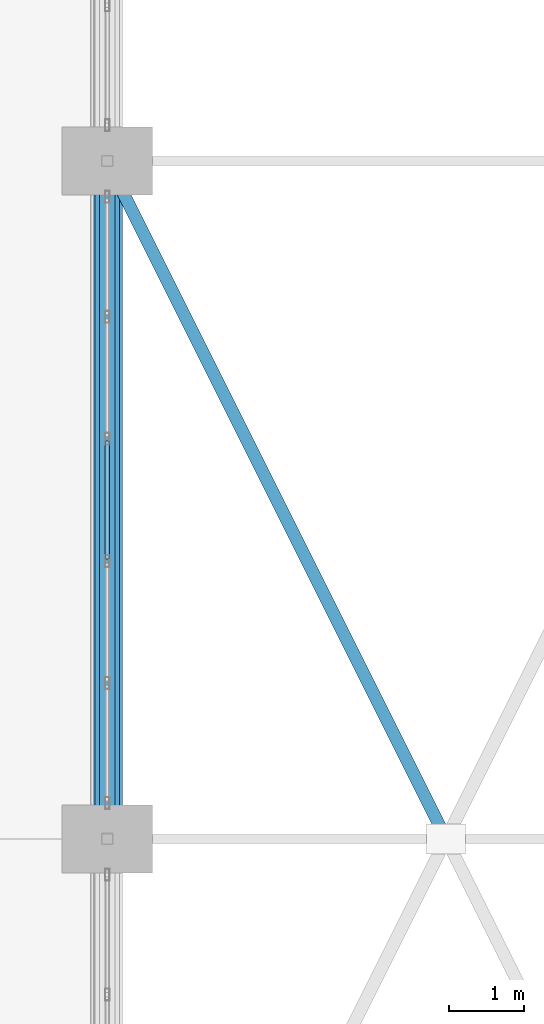
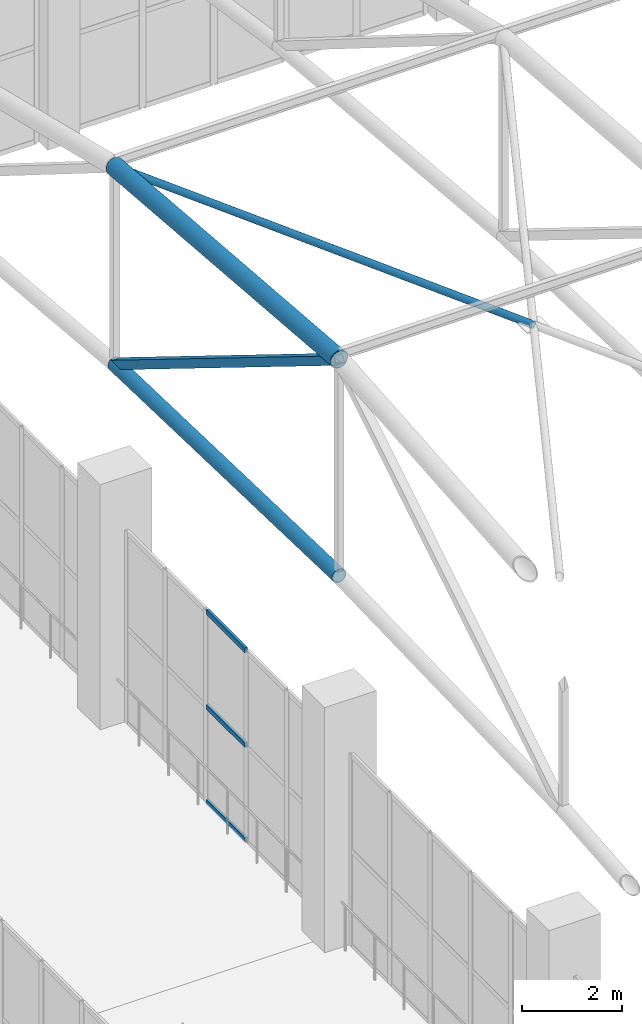
# One storey, part 115 of 223: 7 members, 1 element without a shape of its own.
"""IFC4 building model written with IfcOpenShell, lengths in metres."""

from ifc_helpers import new_model, si_unit, direction, frame, origin, origin_2d, place, context, subcontext, project, spatial, hollow_rectangle, hollow_circle, extrude, material, layer, layer_set, material_profile, profile_set, type_object, element, aggregate, save


model = new_model("IFC4")

# Units and contexts
model_context = context("Model", 3, precision=1e-05, world=origin(), true_north=direction((0.0, 1.0)))
body_context = subcontext(model_context, "Body", "Model", "MODEL_VIEW")
ifc_project = project(units=[si_unit("LENGTHUNIT", "METRE"), si_unit("AREAUNIT", "SQUARE_METRE"), si_unit("VOLUMEUNIT", "CUBIC_METRE"), si_unit("PLANEANGLEUNIT", "RADIAN"), si_unit("MASSUNIT", "GRAM", prefix="KILO")], contexts=[model_context])

# Site, building, storey
site_placement = place(None, origin())
site = spatial("IfcSite", under=ifc_project, at=site_placement, CompositionType="ELEMENT")
building_placement = place(site_placement, origin())
building = spatial("IfcBuilding", under=site, at=building_placement, Name="Dornveld Trade and Exhibition Forum", CompositionType="ELEMENT")
storey_placement = place(building_placement, frame((0.0, 0.0, 6.0)))
storey = spatial("IfcBuildingStorey", under=building, at=storey_placement, Name="L01", CompositionType="ELEMENT", Elevation=6.0)

# Curtain wall, members
ifc_material_1 = material(Name="Dark-bronze anodised aluminium and low-E glass", Category="aluminium")
ifc_layer = layer(ifc_material_1, 0.18408203125)
ifc_layer_set = layer_set([ifc_layer], Name="Dark-bronze anodised aluminium and low-E glass")
curtain_wall_type = type_object("IfcCurtainWallType", Name="CW-SYS-14", PredefinedType="USERDEFINED", material=ifc_layer_set)
curtain_wall_placement = place(storey_placement, origin())
curtain_wall = element("IfcCurtainWall", 1, at=curtain_wall_placement, inside=storey, type_object=curtain_wall_type, Name="L01 unitised curtain wall 14", ObjectType="UNITISED_CURTAIN_WALL", PredefinedType="USERDEFINED")
ifc_material_2 = material(Name="Dark-bronze anodised aluminium", Category="aluminium")
ifc_material_profile_1 = material_profile(ifc_material_2, hollow_rectangle(XDim=0.06005859375, YDim=0.1201171875, WallThickness=0.00390625, at=origin_2d()), Name="RHS 120x60x4")
ifc_profile_set_1 = profile_set([ifc_material_profile_1], Name="Dark-bronze anodised aluminium")
member_type_1 = type_object("IfcMemberType", Name="CW-TRN-120", PredefinedType="USERDEFINED", material=ifc_profile_set_1)
member_1_placement = place(storey_placement, frame((99.0, 140.28076171875, 0.02587890625), z_axis=(0.0, -1.0, 0.0), x_axis=(1.0, 0.0, 0.0)))
member_1 = element("IfcMember", 2, at=member_1_placement, type_object=member_type_1, Name="CW-14 transom 3.1", ObjectType="TRANSOM", PredefinedType="USERDEFINED", context=body_context, shape_type="SweptSolid", body=[
    extrude(hollow_rectangle(XDim=0.06005859375, YDim=0.1201171875, WallThickness=0.00390625, at=origin_2d()), origin(), (0.0, 0.0, 1.0), 1.5615234375),
])
member_2_placement = place(storey_placement, frame((99.0, 140.28076171875, 2.347900390625), z_axis=(0.0, -1.0, 0.0), x_axis=(1.0, 0.0, 0.0)))
member_2 = element("IfcMember", 3, at=member_2_placement, type_object=member_type_1, Name="CW-14 transom 3.2", ObjectType="TRANSOM", PredefinedType="USERDEFINED", context=body_context, shape_type="SweptSolid", body=[
    extrude(hollow_rectangle(XDim=0.06005859375, YDim=0.1201171875, WallThickness=0.00390625, at=origin_2d()), origin(), (0.0, 0.0, 1.0), 1.5615234375),
])
member_3_placement = place(storey_placement, frame((99.0, 140.28076171875, 4.669921875), z_axis=(0.0, -1.0, 0.0), x_axis=(1.0, 0.0, 0.0)))
member_3 = element("IfcMember", 4, at=member_3_placement, type_object=member_type_1, Name="CW-14 transom 3.3", ObjectType="TRANSOM", PredefinedType="USERDEFINED", context=body_context, shape_type="SweptSolid", body=[
    extrude(hollow_rectangle(XDim=0.06005859375, YDim=0.1201171875, WallThickness=0.00390625, at=origin_2d()), origin(), (0.0, 0.0, 1.0), 1.5615234375),
])
aggregate(curtain_wall, [member_1, member_2, member_3])

# Members
ifc_material_3 = material(Name="Steel S355J2", Category="steel")
ifc_material_profile_2 = material_profile(ifc_material_3, hollow_circle(Radius=0.161865234375, WallThickness=0.01611328125, at=origin_2d()), Name="CHS 323.9x16")
ifc_profile_set_2 = profile_set([ifc_material_profile_2], Name="Steel S355J2")
member_type_2 = type_object("IfcMemberType", Name="MEM-ARCH-BC", PredefinedType="CHORD", material=ifc_profile_set_2)
member_4_placement = place(storey_placement, frame((99.0, 135.0, 8.75), z_axis=(0.0, 0.999561545365, -0.029609407757), x_axis=(-1.0, 0.0, 0.0)))
element("IfcMember", 5, at=member_4_placement, inside=storey, type_object=member_type_2, Name="H1 truss 1 tie chord 4", PredefinedType="CHORD", context=body_context, shape_type="SweptSolid", body=[
    extrude(hollow_circle(Radius=0.161865234375, WallThickness=0.01611328125, at=origin_2d()), origin(), (0.0, 0.0, 1.0), 9.00390625),
])
ifc_material_4 = material(Name="Steel S355J2", Category="steel")
ifc_material_profile_3 = material_profile(ifc_material_4, hollow_circle(Radius=0.203125, WallThickness=0.02001953125, at=origin_2d()), Name="CHS 406.4x20")
ifc_profile_set_3 = profile_set([ifc_material_profile_3], Name="Steel S355J2")
member_type_3 = type_object("IfcMemberType", Name="MEM-ARCH-TC", PredefinedType="CHORD", material=ifc_profile_set_3)
member_5_placement = place(storey_placement, frame((99.0, 135.0, 14.050048828125), z_axis=(0.0, 0.996696239312, -0.081219496064), x_axis=(-1.0, 0.0, 0.0)))
element("IfcMember", 6, at=member_5_placement, inside=storey, type_object=member_type_3, Name="H1 truss 1 top chord 4", PredefinedType="CHORD", context=body_context, shape_type="SweptSolid", body=[
    extrude(hollow_circle(Radius=0.203125, WallThickness=0.02001953125, at=origin_2d()), origin(), (0.0, 0.0, 1.0), 9.02978515625),
])
ifc_material_5 = material(Name="Steel S355J2", Category="steel")
ifc_material_profile_4 = material_profile(ifc_material_5, hollow_rectangle(XDim=0.199951171875, YDim=0.199951171875, WallThickness=0.010009765625, at=origin_2d()), Name="SHS 200x200x10")
ifc_profile_set_4 = profile_set([ifc_material_profile_4], Name="Steel S355J2")
member_type_4 = type_object("IfcMemberType", Name="MEM-ARCH-WEB", PredefinedType="BRACE", material=ifc_profile_set_4)
member_6_placement = place(storey_placement, frame((99.0, 144.0, 8.4833984375), z_axis=(0.0, -0.850467158024, 0.526028148603), x_axis=(1.0, 0.0, 0.0)))
element("IfcMember", 7, at=member_6_placement, inside=storey, type_object=member_type_4, Name="H1 truss 1 web 4", PredefinedType="BRACE", context=body_context, shape_type="SweptSolid", body=[
    extrude(hollow_rectangle(XDim=0.199951171875, YDim=0.199951171875, WallThickness=0.010009765625, at=origin_2d()), origin(), (0.0, 0.0, 1.0), 10.58251953125),
])
ifc_material_6 = material(Name="Steel S355J2", Category="steel")
ifc_material_profile_5 = material_profile(ifc_material_6, hollow_circle(Radius=0.084228515625, WallThickness=0.008056640625, at=origin_2d()), Name="CHS 168.3x8")
ifc_profile_set_5 = profile_set([ifc_material_profile_5], Name="Steel S355J2")
member_type_5 = type_object("IfcMemberType", Name="MEM-BRACE-168", PredefinedType="BRACE", material=ifc_profile_set_5)
member_7_placement = place(storey_placement, frame((99.0, 144.0, 13.316650390625), z_axis=(0.4472135955, -0.894427191, 0.0), x_axis=(0.894427191, 0.4472135955, 0.0)))
element("IfcMember", 8, at=member_7_placement, inside=storey, type_object=member_type_5, Name="H1 roof wind brace 1B1", PredefinedType="BRACE", context=body_context, shape_type="SweptSolid", body=[
    extrude(hollow_circle(Radius=0.084228515625, WallThickness=0.008056640625, at=origin_2d()), origin(), (0.0, 0.0, 1.0), 10.062255859375),
])

save(model, "model.ifc")
